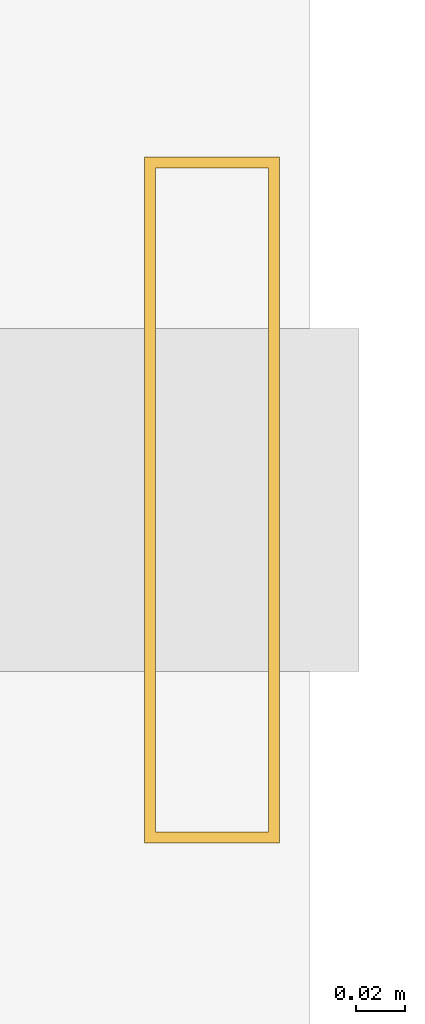
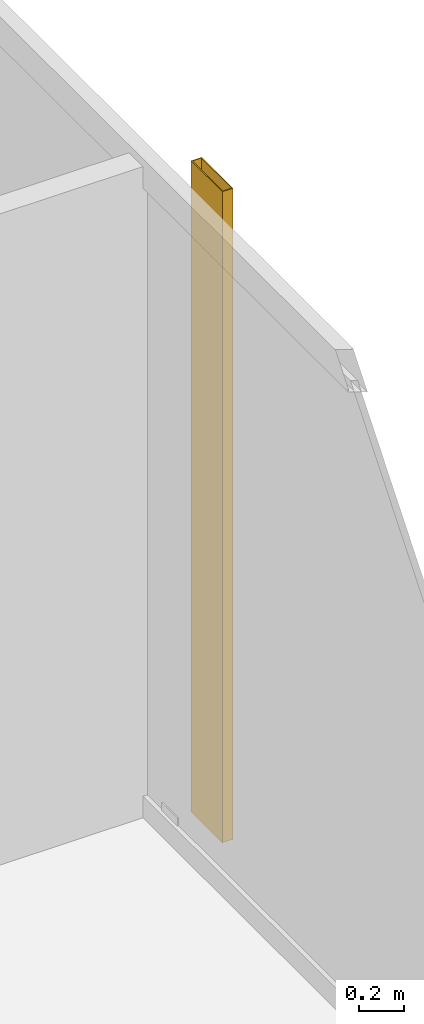
# One storey, part 23 of 23: 1 shading device.
"""IFC4 building model written with IfcOpenShell, lengths in metres."""

from ifc_helpers import new_model, si_unit, direction, frame, origin, origin_2d, place, context, subcontext, project, spatial, hollow_rectangle, extrude, material, material_profile, profile_set, type_object, element, save


model = new_model("IFC4")

# Units and contexts
model_context = context("Model", 3, precision=1e-05, world=origin(), true_north=direction((0.0, 1.0)))
body_context = subcontext(model_context, "Body", "Model", "MODEL_VIEW")
ifc_project = project(units=[si_unit("LENGTHUNIT", "METRE"), si_unit("AREAUNIT", "SQUARE_METRE"), si_unit("VOLUMEUNIT", "CUBIC_METRE"), si_unit("PLANEANGLEUNIT", "RADIAN"), si_unit("MASSUNIT", "GRAM", prefix="KILO")], contexts=[model_context])

# Site, building, storey
site_placement = place(None, origin())
site = spatial("IfcSite", under=ifc_project, at=site_placement, CompositionType="ELEMENT")
building_placement = place(site_placement, origin())
building = spatial("IfcBuilding", under=site, at=building_placement, Name="Kolvaren Waterfront Exchange", CompositionType="ELEMENT")
storey_placement = place(building_placement, frame((0.0, 0.0, 270.39990234375)))
storey = spatial("IfcBuildingStorey", under=building, at=storey_placement, Name="L69", CompositionType="ELEMENT", Elevation=270.39990234375)

# Shading device
ifc_material = material(Name="Anodised bronze aluminium 6063-T6", Category="aluminium")
ifc_material_profile = material_profile(ifc_material, hollow_rectangle(XDim=0.054931640625, YDim=0.280029296875, WallThickness=0.00439453125, at=origin_2d()), Name="BRZ-FIN-280x55x4.5")
ifc_profile_set = profile_set([ifc_material_profile], Name="Anodised bronze aluminium 6063-T6")
shading_device_type = type_object("IfcShadingDeviceType", Name="ARC-FIN-280", PredefinedType="USERDEFINED", material=ifc_profile_set)
shading_device_placement = place(storey_placement, frame((21.3388671875, 38.0, 0.0), z_axis=(0.0, 0.0, 1.0), x_axis=(1.0, 0.0, 0.0)))
element("IfcShadingDevice", 1, at=shading_device_placement, inside=storey, type_object=shading_device_type, Name="L69 anodised bronze solar shading fin FIN-L69-E3", ObjectType="SOLAR FIN", PredefinedType="USERDEFINED", context=body_context, shape_type="SweptSolid", body=[
    extrude(hollow_rectangle(XDim=0.054931640625, YDim=0.280029296875, WallThickness=0.00439453125, at=origin_2d()), origin(), (0.0, 0.0, 1.0), 3.56005859375),
])

save(model, "model.ifc")
